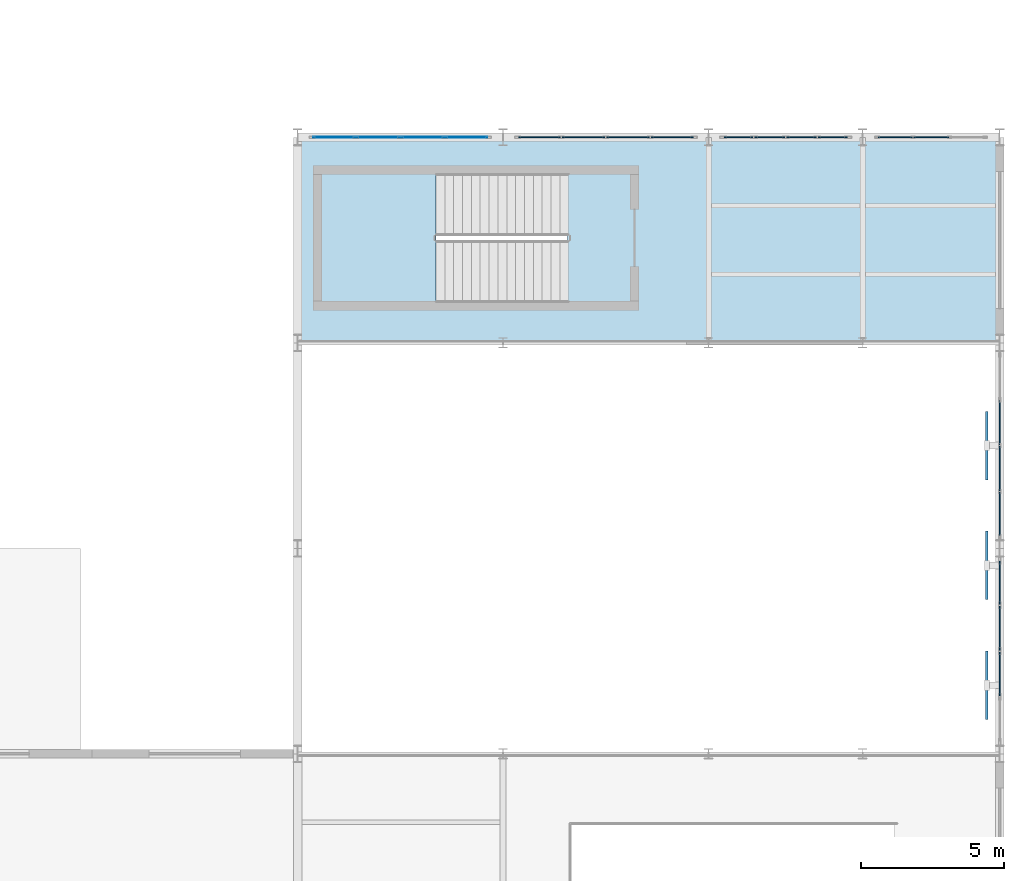
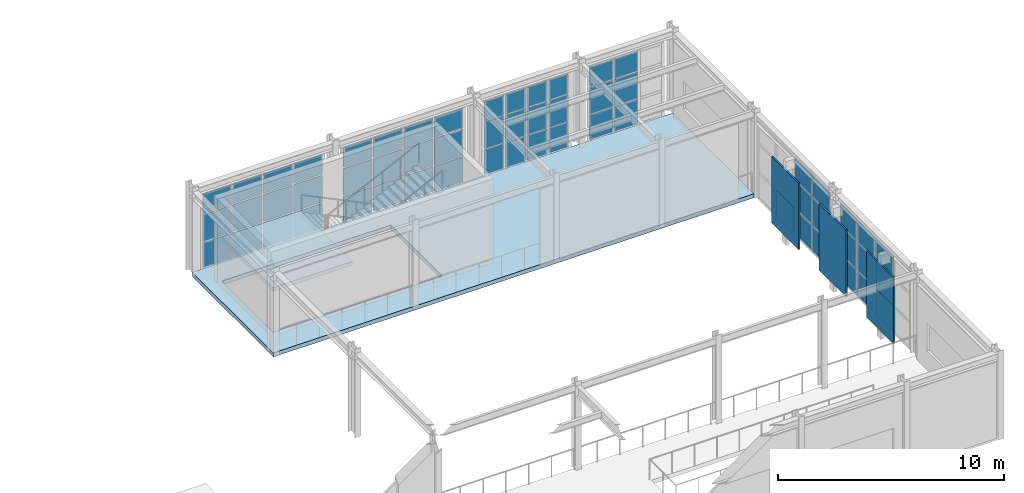
# One storey, part 89 of 121: 61 plates, 2 slabs, 7 elements without a shape of their own.
"""IFC4 building model written with IfcOpenShell, lengths in metres."""

from ifc_helpers import new_model, si_unit, direction, frame, origin, origin_2d, place, context, subcontext, project, spatial, polyline, rectangle, outline, extrude, material, layer, layer_set, type_object, element, aggregate, save


model = new_model("IFC4")

# Units and contexts
model_context = context("Model", 3, precision=1e-05, world=origin(), true_north=direction((0.0, 1.0)))
body_context = subcontext(model_context, "Body", "Model", "MODEL_VIEW")
ifc_project = project(units=[si_unit("LENGTHUNIT", "METRE"), si_unit("AREAUNIT", "SQUARE_METRE"), si_unit("VOLUMEUNIT", "CUBIC_METRE"), si_unit("PLANEANGLEUNIT", "RADIAN"), si_unit("MASSUNIT", "GRAM", prefix="KILO")], contexts=[model_context])

# Site, building, storey
site_placement = place(None, origin())
site = spatial("IfcSite", under=ifc_project, at=site_placement, CompositionType="ELEMENT")
building_placement = place(site_placement, origin())
building = spatial("IfcBuilding", under=site, at=building_placement, Name="Solvadek Multi-Sports Hall", CompositionType="ELEMENT")
storey_placement = place(building_placement, frame((0.0, 0.0, 4.800048828125)))
storey = spatial("IfcBuildingStorey", under=building, at=storey_placement, Name="L01", CompositionType="ELEMENT", Elevation=4.800048828125)

# Curtain wall, plates
ifc_material_1 = material(Name="Anodised aluminium", Category="aluminium")
ifc_layer_1 = layer(ifc_material_1, 0.159912109375, Name="Anodised aluminium")
ifc_layer_set_1 = layer_set([ifc_layer_1], Name="Anodised aluminium")
curtain_wall_type_1 = type_object("IfcCurtainWallType", Name="ENV-CW-624X410", PredefinedType="USERDEFINED", material=ifc_layer_set_1)
curtain_wall_1_placement = place(storey_placement, origin())
curtain_wall_1 = element("IfcCurtainWall", 1, at=curtain_wall_1_placement, inside=storey, type_object=curtain_wall_type_1, Name="L01 Perimeter Bay Curtain Wall #130", ObjectType="CURTAIN WALL", PredefinedType="USERDEFINED")
ifc_material_2 = material(Name="Tempered laminated low-E glass", Category="glass")
ifc_layer_2 = layer(ifc_material_2, 0.031982421875, Name="Tempered laminated low-E glass")
ifc_layer_set_2 = layer_set([ifc_layer_2], Name="Tempered laminated low-E glass")
plate_type_1 = type_object("IfcPlateType", Name="ENV-CWP-03", PredefinedType="CURTAIN_PANEL", material=ifc_layer_set_2)
plate_1_placement = place(storey_placement, frame((138.076171875, 70.800048828125, 0.06494140625), z_axis=(0.0, 0.0, 1.0), x_axis=(1.0, 0.0, 0.0)))
plate_1 = element("IfcPlate", 2, at=plate_1_placement, type_object=plate_type_1, Name="CW-39 panel 1.1", PredefinedType="CURTAIN_PANEL", context=body_context, shape_type="SweptSolid", body=[
    extrude(rectangle(XDim=1.46240234375, YDim=0.031982421875, at=origin_2d()), origin(), (0.0, 0.0, 1.0), 1.33740234375),
])
plate_2_placement = place(storey_placement, frame((138.076171875, 70.800048828125, 1.46728515625), z_axis=(0.0, 0.0, 1.0), x_axis=(1.0, 0.0, 0.0)))
plate_2 = element("IfcPlate", 3, at=plate_2_placement, type_object=plate_type_1, Name="CW-39 panel 1.2", PredefinedType="CURTAIN_PANEL", context=body_context, shape_type="SweptSolid", body=[
    extrude(rectangle(XDim=1.46240234375, YDim=0.031982421875, at=origin_2d()), origin(), (0.0, 0.0, 1.0), 1.451904296875),
])
plate_3_placement = place(storey_placement, frame((138.076171875, 70.800048828125, 2.984375), z_axis=(0.0, 0.0, 1.0), x_axis=(1.0, 0.0, 0.0)))
plate_3 = element("IfcPlate", 4, at=plate_3_placement, type_object=plate_type_1, Name="CW-39 panel 1.3", PredefinedType="CURTAIN_PANEL", context=body_context, shape_type="SweptSolid", body=[
    extrude(rectangle(XDim=1.46240234375, YDim=0.031982421875, at=origin_2d()), origin(), (0.0, 0.0, 1.0), 1.050537109375),
])
plate_4_placement = place(storey_placement, frame((139.6201171875, 70.800048828125, 0.06494140625), z_axis=(0.0, 0.0, 1.0), x_axis=(1.0, 0.0, 0.0)))
plate_4 = element("IfcPlate", 5, at=plate_4_placement, type_object=plate_type_1, Name="CW-39 panel 2.1", PredefinedType="CURTAIN_PANEL", context=body_context, shape_type="SweptSolid", body=[
    extrude(rectangle(XDim=1.4951171875, YDim=0.031982421875, at=origin_2d()), origin(), (0.0, 0.0, 1.0), 1.33740234375),
])
plate_5_placement = place(storey_placement, frame((139.6201171875, 70.800048828125, 1.46728515625), z_axis=(0.0, 0.0, 1.0), x_axis=(1.0, 0.0, 0.0)))
plate_5 = element("IfcPlate", 6, at=plate_5_placement, type_object=plate_type_1, Name="CW-39 panel 2.2", PredefinedType="CURTAIN_PANEL", context=body_context, shape_type="SweptSolid", body=[
    extrude(rectangle(XDim=1.4951171875, YDim=0.031982421875, at=origin_2d()), origin(), (0.0, 0.0, 1.0), 1.451904296875),
])
plate_6_placement = place(storey_placement, frame((139.6201171875, 70.800048828125, 2.984375), z_axis=(0.0, 0.0, 1.0), x_axis=(1.0, 0.0, 0.0)))
plate_6 = element("IfcPlate", 7, at=plate_6_placement, type_object=plate_type_1, Name="CW-39 panel 2.3", PredefinedType="CURTAIN_PANEL", context=body_context, shape_type="SweptSolid", body=[
    extrude(rectangle(XDim=1.4951171875, YDim=0.031982421875, at=origin_2d()), origin(), (0.0, 0.0, 1.0), 1.050537109375),
])
plate_7_placement = place(storey_placement, frame((141.179931640625, 70.800048828125, 0.06494140625), z_axis=(0.0, 0.0, 1.0), x_axis=(1.0, 0.0, 0.0)))
plate_7 = element("IfcPlate", 8, at=plate_7_placement, type_object=plate_type_1, Name="CW-39 panel 3.1", PredefinedType="CURTAIN_PANEL", context=body_context, shape_type="SweptSolid", body=[
    extrude(rectangle(XDim=1.4951171875, YDim=0.031982421875, at=origin_2d()), origin(), (0.0, 0.0, 1.0), 1.33740234375),
])
plate_8_placement = place(storey_placement, frame((141.179931640625, 70.800048828125, 1.46728515625), z_axis=(0.0, 0.0, 1.0), x_axis=(1.0, 0.0, 0.0)))
plate_8 = element("IfcPlate", 9, at=plate_8_placement, type_object=plate_type_1, Name="CW-39 panel 3.2", PredefinedType="CURTAIN_PANEL", context=body_context, shape_type="SweptSolid", body=[
    extrude(rectangle(XDim=1.4951171875, YDim=0.031982421875, at=origin_2d()), origin(), (0.0, 0.0, 1.0), 1.451904296875),
])
plate_9_placement = place(storey_placement, frame((141.179931640625, 70.800048828125, 2.984375), z_axis=(0.0, 0.0, 1.0), x_axis=(1.0, 0.0, 0.0)))
plate_9 = element("IfcPlate", 10, at=plate_9_placement, type_object=plate_type_1, Name="CW-39 panel 3.3", PredefinedType="CURTAIN_PANEL", context=body_context, shape_type="SweptSolid", body=[
    extrude(rectangle(XDim=1.4951171875, YDim=0.031982421875, at=origin_2d()), origin(), (0.0, 0.0, 1.0), 1.050537109375),
])
plate_10_placement = place(storey_placement, frame((142.7236328125, 70.800048828125, 0.06494140625), z_axis=(0.0, 0.0, 1.0), x_axis=(1.0, 0.0, 0.0)))
plate_10 = element("IfcPlate", 11, at=plate_10_placement, type_object=plate_type_1, Name="CW-39 panel 4.1", PredefinedType="CURTAIN_PANEL", context=body_context, shape_type="SweptSolid", body=[
    extrude(rectangle(XDim=1.46240234375, YDim=0.031982421875, at=origin_2d()), origin(), (0.0, 0.0, 1.0), 1.33740234375),
])
plate_11_placement = place(storey_placement, frame((142.7236328125, 70.800048828125, 1.46728515625), z_axis=(0.0, 0.0, 1.0), x_axis=(1.0, 0.0, 0.0)))
plate_11 = element("IfcPlate", 12, at=plate_11_placement, type_object=plate_type_1, Name="CW-39 panel 4.2", PredefinedType="CURTAIN_PANEL", context=body_context, shape_type="SweptSolid", body=[
    extrude(rectangle(XDim=1.46240234375, YDim=0.031982421875, at=origin_2d()), origin(), (0.0, 0.0, 1.0), 1.451904296875),
])
plate_12_placement = place(storey_placement, frame((142.7236328125, 70.800048828125, 2.984375), z_axis=(0.0, 0.0, 1.0), x_axis=(1.0, 0.0, 0.0)))
plate_12 = element("IfcPlate", 13, at=plate_12_placement, type_object=plate_type_1, Name="CW-39 panel 4.3", PredefinedType="CURTAIN_PANEL", context=body_context, shape_type="SweptSolid", body=[
    extrude(rectangle(XDim=1.46240234375, YDim=0.031982421875, at=origin_2d()), origin(), (0.0, 0.0, 1.0), 1.050537109375),
])
aggregate(curtain_wall_1, [plate_1, plate_2, plate_3, plate_4, plate_5, plate_6, plate_7, plate_8, plate_9, plate_10, plate_11, plate_12])

ifc_layer_3 = layer(ifc_material_1, 0.159912109375, Name="Anodised aluminium")
ifc_layer_set_3 = layer_set([ifc_layer_3], Name="Anodised aluminium")
curtain_wall_type_2 = type_object("IfcCurtainWallType", Name="ENV-CW-624X408", PredefinedType="USERDEFINED", material=ifc_layer_set_3)
curtain_wall_2_placement = place(storey_placement, origin())
curtain_wall_2 = element("IfcCurtainWall", 14, at=curtain_wall_2_placement, inside=storey, type_object=curtain_wall_type_2, Name="L01 Perimeter Bay Curtain Wall #133", ObjectType="CURTAIN WALL", PredefinedType="USERDEFINED")
ifc_layer_4 = layer(ifc_material_2, 0.035888671875, Name="Tempered laminated low-E glass")
ifc_layer_set_4 = layer_set([ifc_layer_4], Name="Tempered laminated low-E glass")
plate_type_2 = type_object("IfcPlateType", Name="ENV-CWP-04", PredefinedType="CURTAIN_PANEL", material=ifc_layer_set_4)
plate_13_placement = place(storey_placement, frame((145.2763671875, 70.800048828125, 0.06494140625), z_axis=(0.0, 0.0, 1.0), x_axis=(1.0, 0.0, 0.0)))
plate_13 = element("IfcPlate", 15, at=plate_13_placement, type_object=plate_type_2, Name="CW-40 panel 1.1", PredefinedType="CURTAIN_PANEL", context=body_context, shape_type="SweptSolid", body=[
    extrude(rectangle(XDim=1.46240234375, YDim=0.035888671875, at=origin_2d()), origin(), (0.0, 0.0, 1.0), 1.32861328125),
])
plate_14_placement = place(storey_placement, frame((145.2763671875, 70.800048828125, 1.45849609375), z_axis=(0.0, 0.0, 1.0), x_axis=(1.0, 0.0, 0.0)))
plate_14 = element("IfcPlate", 16, at=plate_14_placement, type_object=plate_type_2, Name="CW-40 panel 1.2", PredefinedType="CURTAIN_PANEL", context=body_context, shape_type="SweptSolid", body=[
    extrude(rectangle(XDim=1.46240234375, YDim=0.035888671875, at=origin_2d()), origin(), (0.0, 0.0, 1.0), 1.443115234375),
])
plate_15_placement = place(storey_placement, frame((145.2763671875, 70.800048828125, 2.966552734375), z_axis=(0.0, 0.0, 1.0), x_axis=(1.0, 0.0, 0.0)))
plate_15 = element("IfcPlate", 17, at=plate_15_placement, type_object=plate_type_2, Name="CW-40 panel 1.3", PredefinedType="CURTAIN_PANEL", context=body_context, shape_type="SweptSolid", body=[
    extrude(rectangle(XDim=1.46240234375, YDim=0.035888671875, at=origin_2d()), origin(), (0.0, 0.0, 1.0), 1.04345703125),
])
plate_16_placement = place(storey_placement, frame((146.820068359375, 70.800048828125, 0.06494140625), z_axis=(0.0, 0.0, 1.0), x_axis=(1.0, 0.0, 0.0)))
plate_16 = element("IfcPlate", 18, at=plate_16_placement, type_object=plate_type_2, Name="CW-40 panel 2.1", PredefinedType="CURTAIN_PANEL", context=body_context, shape_type="SweptSolid", body=[
    extrude(rectangle(XDim=1.4951171875, YDim=0.035888671875, at=origin_2d()), origin(), (0.0, 0.0, 1.0), 1.32861328125),
])
plate_17_placement = place(storey_placement, frame((146.820068359375, 70.800048828125, 1.45849609375), z_axis=(0.0, 0.0, 1.0), x_axis=(1.0, 0.0, 0.0)))
plate_17 = element("IfcPlate", 19, at=plate_17_placement, type_object=plate_type_2, Name="CW-40 panel 2.2", PredefinedType="CURTAIN_PANEL", context=body_context, shape_type="SweptSolid", body=[
    extrude(rectangle(XDim=1.4951171875, YDim=0.035888671875, at=origin_2d()), origin(), (0.0, 0.0, 1.0), 1.443115234375),
])
plate_18_placement = place(storey_placement, frame((146.820068359375, 70.800048828125, 2.966552734375), z_axis=(0.0, 0.0, 1.0), x_axis=(1.0, 0.0, 0.0)))
plate_18 = element("IfcPlate", 20, at=plate_18_placement, type_object=plate_type_2, Name="CW-40 panel 2.3", PredefinedType="CURTAIN_PANEL", context=body_context, shape_type="SweptSolid", body=[
    extrude(rectangle(XDim=1.4951171875, YDim=0.035888671875, at=origin_2d()), origin(), (0.0, 0.0, 1.0), 1.04345703125),
])
plate_19_placement = place(storey_placement, frame((148.3798828125, 70.800048828125, 0.06494140625), z_axis=(0.0, 0.0, 1.0), x_axis=(1.0, 0.0, 0.0)))
plate_19 = element("IfcPlate", 21, at=plate_19_placement, type_object=plate_type_2, Name="CW-40 panel 3.1", PredefinedType="CURTAIN_PANEL", context=body_context, shape_type="SweptSolid", body=[
    extrude(rectangle(XDim=1.4951171875, YDim=0.035888671875, at=origin_2d()), origin(), (0.0, 0.0, 1.0), 1.32861328125),
])
plate_20_placement = place(storey_placement, frame((148.3798828125, 70.800048828125, 1.45849609375), z_axis=(0.0, 0.0, 1.0), x_axis=(1.0, 0.0, 0.0)))
plate_20 = element("IfcPlate", 22, at=plate_20_placement, type_object=plate_type_2, Name="CW-40 panel 3.2", PredefinedType="CURTAIN_PANEL", context=body_context, shape_type="SweptSolid", body=[
    extrude(rectangle(XDim=1.4951171875, YDim=0.035888671875, at=origin_2d()), origin(), (0.0, 0.0, 1.0), 1.443115234375),
])
plate_21_placement = place(storey_placement, frame((148.3798828125, 70.800048828125, 2.966552734375), z_axis=(0.0, 0.0, 1.0), x_axis=(1.0, 0.0, 0.0)))
plate_21 = element("IfcPlate", 23, at=plate_21_placement, type_object=plate_type_2, Name="CW-40 panel 3.3", PredefinedType="CURTAIN_PANEL", context=body_context, shape_type="SweptSolid", body=[
    extrude(rectangle(XDim=1.4951171875, YDim=0.035888671875, at=origin_2d()), origin(), (0.0, 0.0, 1.0), 1.04345703125),
])
plate_22_placement = place(storey_placement, frame((149.923828125, 70.800048828125, 0.06494140625), z_axis=(0.0, 0.0, 1.0), x_axis=(1.0, 0.0, 0.0)))
plate_22 = element("IfcPlate", 24, at=plate_22_placement, type_object=plate_type_2, Name="CW-40 panel 4.1", PredefinedType="CURTAIN_PANEL", context=body_context, shape_type="SweptSolid", body=[
    extrude(rectangle(XDim=1.46240234375, YDim=0.035888671875, at=origin_2d()), origin(), (0.0, 0.0, 1.0), 1.32861328125),
])
plate_23_placement = place(storey_placement, frame((149.923828125, 70.800048828125, 1.45849609375), z_axis=(0.0, 0.0, 1.0), x_axis=(1.0, 0.0, 0.0)))
plate_23 = element("IfcPlate", 25, at=plate_23_placement, type_object=plate_type_2, Name="CW-40 panel 4.2", PredefinedType="CURTAIN_PANEL", context=body_context, shape_type="SweptSolid", body=[
    extrude(rectangle(XDim=1.46240234375, YDim=0.035888671875, at=origin_2d()), origin(), (0.0, 0.0, 1.0), 1.443115234375),
])
plate_24_placement = place(storey_placement, frame((149.923828125, 70.800048828125, 2.966552734375), z_axis=(0.0, 0.0, 1.0), x_axis=(1.0, 0.0, 0.0)))
plate_24 = element("IfcPlate", 26, at=plate_24_placement, type_object=plate_type_2, Name="CW-40 panel 4.3", PredefinedType="CURTAIN_PANEL", context=body_context, shape_type="SweptSolid", body=[
    extrude(rectangle(XDim=1.46240234375, YDim=0.035888671875, at=origin_2d()), origin(), (0.0, 0.0, 1.0), 1.04345703125),
])
aggregate(curtain_wall_2, [plate_13, plate_14, plate_15, plate_16, plate_17, plate_18, plate_19, plate_20, plate_21, plate_22, plate_23, plate_24])

ifc_layer_5 = layer(ifc_material_1, 0.159912109375, Name="Anodised aluminium")
ifc_layer_set_5 = layer_set([ifc_layer_5], Name="Anodised aluminium")
curtain_wall_type_3 = type_object("IfcCurtainWallType", Name="ENV-CW-444X405", PredefinedType="USERDEFINED", material=ifc_layer_set_5)
curtain_wall_3_placement = place(storey_placement, origin())
curtain_wall_3 = element("IfcCurtainWall", 27, at=curtain_wall_3_placement, inside=storey, type_object=curtain_wall_type_3, Name="L01 Perimeter Bay Curtain Wall #137", ObjectType="CURTAIN WALL", PredefinedType="USERDEFINED")
ifc_layer_6 = layer(ifc_material_2, 0.0419921875, Name="Tempered laminated low-E glass")
ifc_layer_set_6 = layer_set([ifc_layer_6], Name="Tempered laminated low-E glass")
plate_type_3 = type_object("IfcPlateType", Name="ENV-CWP-05", PredefinedType="CURTAIN_PANEL", material=ifc_layer_set_6)
plate_25_placement = place(storey_placement, frame((152.25244140625, 70.800048828125, 0.06005859375), z_axis=(0.0, 0.0, 1.0), x_axis=(1.0, 0.0, 0.0)))
plate_25 = element("IfcPlate", 28, at=plate_25_placement, type_object=plate_type_3, Name="CW-46 panel 1.1", PredefinedType="CURTAIN_PANEL", context=body_context, shape_type="SweptSolid", body=[
    extrude(rectangle(XDim=1.0048828125, YDim=0.0419921875, at=origin_2d()), origin(), (0.0, 0.0, 1.0), 1.326904296875),
])
plate_26_placement = place(storey_placement, frame((152.25244140625, 70.800048828125, 1.447021484375), z_axis=(0.0, 0.0, 1.0), x_axis=(1.0, 0.0, 0.0)))
plate_26 = element("IfcPlate", 29, at=plate_26_placement, type_object=plate_type_3, Name="CW-46 panel 1.2", PredefinedType="CURTAIN_PANEL", context=body_context, shape_type="SweptSolid", body=[
    extrude(rectangle(XDim=1.0048828125, YDim=0.0419921875, at=origin_2d()), origin(), (0.0, 0.0, 1.0), 1.43896484375),
])
plate_27_placement = place(storey_placement, frame((152.25244140625, 70.800048828125, 2.946044921875), z_axis=(0.0, 0.0, 1.0), x_axis=(1.0, 0.0, 0.0)))
plate_27 = element("IfcPlate", 30, at=plate_27_placement, type_object=plate_type_3, Name="CW-46 panel 1.3", PredefinedType="CURTAIN_PANEL", context=body_context, shape_type="SweptSolid", body=[
    extrude(rectangle(XDim=1.0048828125, YDim=0.0419921875, at=origin_2d()), origin(), (0.0, 0.0, 1.0), 1.0439453125),
])
plate_28_placement = place(storey_placement, frame((153.344970703125, 70.800048828125, 0.06005859375), z_axis=(0.0, 0.0, 1.0), x_axis=(1.0, 0.0, 0.0)))
plate_28 = element("IfcPlate", 31, at=plate_28_placement, type_object=plate_type_3, Name="CW-46 panel 2.1", PredefinedType="CURTAIN_PANEL", context=body_context, shape_type="SweptSolid", body=[
    extrude(rectangle(XDim=1.0400390625, YDim=0.0419921875, at=origin_2d()), origin(), (0.0, 0.0, 1.0), 1.326904296875),
])
plate_29_placement = place(storey_placement, frame((153.344970703125, 70.800048828125, 1.447021484375), z_axis=(0.0, 0.0, 1.0), x_axis=(1.0, 0.0, 0.0)))
plate_29 = element("IfcPlate", 32, at=plate_29_placement, type_object=plate_type_3, Name="CW-46 panel 2.2", PredefinedType="CURTAIN_PANEL", context=body_context, shape_type="SweptSolid", body=[
    extrude(rectangle(XDim=1.0400390625, YDim=0.0419921875, at=origin_2d()), origin(), (0.0, 0.0, 1.0), 1.43896484375),
])
plate_30_placement = place(storey_placement, frame((153.344970703125, 70.800048828125, 2.946044921875), z_axis=(0.0, 0.0, 1.0), x_axis=(1.0, 0.0, 0.0)))
plate_30 = element("IfcPlate", 33, at=plate_30_placement, type_object=plate_type_3, Name="CW-46 panel 2.3", PredefinedType="CURTAIN_PANEL", context=body_context, shape_type="SweptSolid", body=[
    extrude(rectangle(XDim=1.0400390625, YDim=0.0419921875, at=origin_2d()), origin(), (0.0, 0.0, 1.0), 1.0439453125),
])
plate_31_placement = place(storey_placement, frame((154.455078125, 70.800048828125, 0.06005859375), z_axis=(0.0, 0.0, 1.0), x_axis=(1.0, 0.0, 0.0)))
plate_31 = element("IfcPlate", 34, at=plate_31_placement, type_object=plate_type_3, Name="CW-46 panel 3.1", PredefinedType="CURTAIN_PANEL", context=body_context, shape_type="SweptSolid", body=[
    extrude(rectangle(XDim=1.0400390625, YDim=0.0419921875, at=origin_2d()), origin(), (0.0, 0.0, 1.0), 1.326904296875),
])
plate_32_placement = place(storey_placement, frame((154.455078125, 70.800048828125, 1.447021484375), z_axis=(0.0, 0.0, 1.0), x_axis=(1.0, 0.0, 0.0)))
plate_32 = element("IfcPlate", 35, at=plate_32_placement, type_object=plate_type_3, Name="CW-46 panel 3.2", PredefinedType="CURTAIN_PANEL", context=body_context, shape_type="SweptSolid", body=[
    extrude(rectangle(XDim=1.0400390625, YDim=0.0419921875, at=origin_2d()), origin(), (0.0, 0.0, 1.0), 1.43896484375),
])
plate_33_placement = place(storey_placement, frame((154.455078125, 70.800048828125, 2.946044921875), z_axis=(0.0, 0.0, 1.0), x_axis=(1.0, 0.0, 0.0)))
plate_33 = element("IfcPlate", 36, at=plate_33_placement, type_object=plate_type_3, Name="CW-46 panel 3.3", PredefinedType="CURTAIN_PANEL", context=body_context, shape_type="SweptSolid", body=[
    extrude(rectangle(XDim=1.0400390625, YDim=0.0419921875, at=origin_2d()), origin(), (0.0, 0.0, 1.0), 1.0439453125),
])
plate_34_placement = place(storey_placement, frame((155.547607421875, 70.800048828125, 0.06005859375), z_axis=(0.0, 0.0, 1.0), x_axis=(1.0, 0.0, 0.0)))
plate_34 = element("IfcPlate", 37, at=plate_34_placement, type_object=plate_type_3, Name="CW-46 panel 4.1", PredefinedType="CURTAIN_PANEL", context=body_context, shape_type="SweptSolid", body=[
    extrude(rectangle(XDim=1.0048828125, YDim=0.0419921875, at=origin_2d()), origin(), (0.0, 0.0, 1.0), 1.326904296875),
])
plate_35_placement = place(storey_placement, frame((155.547607421875, 70.800048828125, 1.447021484375), z_axis=(0.0, 0.0, 1.0), x_axis=(1.0, 0.0, 0.0)))
plate_35 = element("IfcPlate", 38, at=plate_35_placement, type_object=plate_type_3, Name="CW-46 panel 4.2", PredefinedType="CURTAIN_PANEL", context=body_context, shape_type="SweptSolid", body=[
    extrude(rectangle(XDim=1.0048828125, YDim=0.0419921875, at=origin_2d()), origin(), (0.0, 0.0, 1.0), 1.43896484375),
])
plate_36_placement = place(storey_placement, frame((155.547607421875, 70.800048828125, 2.946044921875), z_axis=(0.0, 0.0, 1.0), x_axis=(1.0, 0.0, 0.0)))
plate_36 = element("IfcPlate", 39, at=plate_36_placement, type_object=plate_type_3, Name="CW-46 panel 4.3", PredefinedType="CURTAIN_PANEL", context=body_context, shape_type="SweptSolid", body=[
    extrude(rectangle(XDim=1.0048828125, YDim=0.0419921875, at=origin_2d()), origin(), (0.0, 0.0, 1.0), 1.0439453125),
])
aggregate(curtain_wall_3, [plate_25, plate_26, plate_27, plate_28, plate_29, plate_30, plate_31, plate_32, plate_33, plate_34, plate_35, plate_36])

ifc_layer_7 = layer(ifc_material_1, 0.159912109375, Name="Anodised aluminium")
ifc_layer_set_7 = layer_set([ifc_layer_7], Name="Anodised aluminium")
curtain_wall_type_4 = type_object("IfcCurtainWallType", Name="ENV-CW-642X416", PredefinedType="USERDEFINED", material=ifc_layer_set_7)
curtain_wall_4_placement = place(storey_placement, origin())
curtain_wall_4 = element("IfcCurtainWall", 40, at=curtain_wall_4_placement, inside=storey, type_object=curtain_wall_type_4, Name="L01 Perimeter Bay Curtain Wall #145", ObjectType="CURTAIN WALL", PredefinedType="USERDEFINED")
plate_37_placement = place(storey_placement, frame((161.39990234375, 51.99755859375, 0.06005859375), z_axis=(0.0, 0.0, 1.0), x_axis=(0.0, 1.0, 0.0)))
plate_37 = element("IfcPlate", 41, at=plate_37_placement, type_object=plate_type_3, Name="CW-53 panel 2.1", PredefinedType="CURTAIN_PANEL", context=body_context, shape_type="SweptSolid", body=[
    extrude(rectangle(XDim=1.534912109375, YDim=0.0419921875, at=origin_2d()), origin(), (0.0, 0.0, 1.0), 1.366943359375),
])
plate_38_placement = place(storey_placement, frame((161.39990234375, 51.99755859375, 1.487060546875), z_axis=(0.0, 0.0, 1.0), x_axis=(0.0, 1.0, 0.0)))
plate_38 = element("IfcPlate", 42, at=plate_38_placement, type_object=plate_type_3, Name="CW-53 panel 2.2", PredefinedType="CURTAIN_PANEL", context=body_context, shape_type="SweptSolid", body=[
    extrude(rectangle(XDim=1.534912109375, YDim=0.0419921875, at=origin_2d()), origin(), (0.0, 0.0, 1.0), 1.47998046875),
])
plate_39_placement = place(storey_placement, frame((161.39990234375, 51.99755859375, 3.02685546875), z_axis=(0.0, 0.0, 1.0), x_axis=(0.0, 1.0, 0.0)))
plate_39 = element("IfcPlate", 43, at=plate_39_placement, type_object=plate_type_3, Name="CW-53 panel 2.3", PredefinedType="CURTAIN_PANEL", context=body_context, shape_type="SweptSolid", body=[
    extrude(rectangle(XDim=1.534912109375, YDim=0.0419921875, at=origin_2d()), origin(), (0.0, 0.0, 1.0), 1.074951171875),
])
plate_40_placement = place(storey_placement, frame((161.39990234375, 53.6025390625, 0.06005859375), z_axis=(0.0, 0.0, 1.0), x_axis=(0.0, 1.0, 0.0)))
plate_40 = element("IfcPlate", 44, at=plate_40_placement, type_object=plate_type_3, Name="CW-53 panel 3.1", PredefinedType="CURTAIN_PANEL", context=body_context, shape_type="SweptSolid", body=[
    extrude(rectangle(XDim=1.534912109375, YDim=0.0419921875, at=origin_2d()), origin(), (0.0, 0.0, 1.0), 1.366943359375),
])
plate_41_placement = place(storey_placement, frame((161.39990234375, 53.6025390625, 1.487060546875), z_axis=(0.0, 0.0, 1.0), x_axis=(0.0, 1.0, 0.0)))
plate_41 = element("IfcPlate", 45, at=plate_41_placement, type_object=plate_type_3, Name="CW-53 panel 3.2", PredefinedType="CURTAIN_PANEL", context=body_context, shape_type="SweptSolid", body=[
    extrude(rectangle(XDim=1.534912109375, YDim=0.0419921875, at=origin_2d()), origin(), (0.0, 0.0, 1.0), 1.47998046875),
])
plate_42_placement = place(storey_placement, frame((161.39990234375, 53.6025390625, 3.02685546875), z_axis=(0.0, 0.0, 1.0), x_axis=(0.0, 1.0, 0.0)))
plate_42 = element("IfcPlate", 46, at=plate_42_placement, type_object=plate_type_3, Name="CW-53 panel 3.3", PredefinedType="CURTAIN_PANEL", context=body_context, shape_type="SweptSolid", body=[
    extrude(rectangle(XDim=1.534912109375, YDim=0.0419921875, at=origin_2d()), origin(), (0.0, 0.0, 1.0), 1.074951171875),
])
plate_43_placement = place(storey_placement, frame((161.39990234375, 55.18994140625, 0.06005859375), z_axis=(0.0, 0.0, 1.0), x_axis=(0.0, 1.0, 0.0)))
plate_43 = element("IfcPlate", 47, at=plate_43_placement, type_object=plate_type_3, Name="CW-53 panel 4.1", PredefinedType="CURTAIN_PANEL", context=body_context, shape_type="SweptSolid", body=[
    extrude(rectangle(XDim=1.5, YDim=0.0419921875, at=origin_2d()), origin(), (0.0, 0.0, 1.0), 1.366943359375),
])
plate_44_placement = place(storey_placement, frame((161.39990234375, 55.18994140625, 1.487060546875), z_axis=(0.0, 0.0, 1.0), x_axis=(0.0, 1.0, 0.0)))
plate_44 = element("IfcPlate", 48, at=plate_44_placement, type_object=plate_type_3, Name="CW-53 panel 4.2", PredefinedType="CURTAIN_PANEL", context=body_context, shape_type="SweptSolid", body=[
    extrude(rectangle(XDim=1.5, YDim=0.0419921875, at=origin_2d()), origin(), (0.0, 0.0, 1.0), 1.47998046875),
])
plate_45_placement = place(storey_placement, frame((161.39990234375, 55.18994140625, 3.02685546875), z_axis=(0.0, 0.0, 1.0), x_axis=(0.0, 1.0, 0.0)))
plate_45 = element("IfcPlate", 49, at=plate_45_placement, type_object=plate_type_3, Name="CW-53 panel 4.3", PredefinedType="CURTAIN_PANEL", context=body_context, shape_type="SweptSolid", body=[
    extrude(rectangle(XDim=1.5, YDim=0.0419921875, at=origin_2d()), origin(), (0.0, 0.0, 1.0), 1.074951171875),
])
aggregate(curtain_wall_4, [plate_37, plate_38, plate_39, plate_40, plate_41, plate_42, plate_43, plate_44, plate_45])

ifc_layer_8 = layer(ifc_material_1, 0.159912109375, Name="Anodised aluminium")
ifc_layer_set_8 = layer_set([ifc_layer_8], Name="Anodised aluminium")
curtain_wall_type_5 = type_object("IfcCurtainWallType", Name="ENV-CW-384X402", PredefinedType="USERDEFINED", material=ifc_layer_set_8)
curtain_wall_5_placement = place(storey_placement, origin())
curtain_wall_5 = element("IfcCurtainWall", 50, at=curtain_wall_5_placement, inside=storey, type_object=curtain_wall_type_5, Name="L01 Perimeter Bay Curtain Wall #141", ObjectType="CURTAIN WALL", PredefinedType="USERDEFINED")
ifc_layer_9 = layer(ifc_material_2, 0.048095703125, Name="Tempered laminated low-E glass")
ifc_layer_set_9 = layer_set([ifc_layer_9], Name="Tempered laminated low-E glass")
plate_type_4 = type_object("IfcPlateType", Name="ENV-CWP-06", PredefinedType="CURTAIN_PANEL", material=ifc_layer_set_9)
plate_46_placement = place(storey_placement, frame((157.735107421875, 70.800048828125, 0.06005859375), z_axis=(0.0, 0.0, 1.0), x_axis=(1.0, 0.0, 0.0)))
plate_46 = element("IfcPlate", 51, at=plate_46_placement, type_object=plate_type_4, Name="CW-49 panel 1.1", PredefinedType="CURTAIN_PANEL", context=body_context, shape_type="SweptSolid", body=[
    extrude(rectangle(XDim=1.18994140625, YDim=0.048095703125, at=origin_2d()), origin(), (0.0, 0.0, 1.0), 1.319091796875),
])
plate_47_placement = place(storey_placement, frame((157.735107421875, 70.800048828125, 1.43896484375), z_axis=(0.0, 0.0, 1.0), x_axis=(1.0, 0.0, 0.0)))
plate_47 = element("IfcPlate", 52, at=plate_47_placement, type_object=plate_type_4, Name="CW-49 panel 1.2", PredefinedType="CURTAIN_PANEL", context=body_context, shape_type="SweptSolid", body=[
    extrude(rectangle(XDim=1.18994140625, YDim=0.048095703125, at=origin_2d()), origin(), (0.0, 0.0, 1.0), 1.428955078125),
])
plate_48_placement = place(storey_placement, frame((157.735107421875, 70.800048828125, 2.927978515625), z_axis=(0.0, 0.0, 1.0), x_axis=(1.0, 0.0, 0.0)))
plate_48 = element("IfcPlate", 53, at=plate_48_placement, type_object=plate_type_4, Name="CW-49 panel 1.3", PredefinedType="CURTAIN_PANEL", context=body_context, shape_type="SweptSolid", body=[
    extrude(rectangle(XDim=1.18994140625, YDim=0.048095703125, at=origin_2d()), origin(), (0.0, 0.0, 1.0), 1.037109375),
])
plate_49_placement = place(storey_placement, frame((159.0, 70.800048828125, 0.06005859375), z_axis=(0.0, 0.0, 1.0), x_axis=(1.0, 0.0, 0.0)))
plate_49 = element("IfcPlate", 54, at=plate_49_placement, type_object=plate_type_4, Name="CW-49 panel 2.1", PredefinedType="CURTAIN_PANEL", context=body_context, shape_type="SweptSolid", body=[
    extrude(rectangle(XDim=1.219970703125, YDim=0.048095703125, at=origin_2d()), origin(), (0.0, 0.0, 1.0), 1.319091796875),
])
plate_50_placement = place(storey_placement, frame((159.0, 70.800048828125, 1.43896484375), z_axis=(0.0, 0.0, 1.0), x_axis=(1.0, 0.0, 0.0)))
plate_50 = element("IfcPlate", 55, at=plate_50_placement, type_object=plate_type_4, Name="CW-49 panel 2.2", PredefinedType="CURTAIN_PANEL", context=body_context, shape_type="SweptSolid", body=[
    extrude(rectangle(XDim=1.219970703125, YDim=0.048095703125, at=origin_2d()), origin(), (0.0, 0.0, 1.0), 1.428955078125),
])
plate_51_placement = place(storey_placement, frame((159.0, 70.800048828125, 2.927978515625), z_axis=(0.0, 0.0, 1.0), x_axis=(1.0, 0.0, 0.0)))
plate_51 = element("IfcPlate", 56, at=plate_51_placement, type_object=plate_type_4, Name="CW-49 panel 2.3", PredefinedType="CURTAIN_PANEL", context=body_context, shape_type="SweptSolid", body=[
    extrude(rectangle(XDim=1.219970703125, YDim=0.048095703125, at=origin_2d()), origin(), (0.0, 0.0, 1.0), 1.037109375),
])
aggregate(curtain_wall_5, [plate_46, plate_47, plate_48, plate_49, plate_50, plate_51])

curtain_wall_6_placement = place(storey_placement, origin())
curtain_wall_6 = element("IfcCurtainWall", 57, at=curtain_wall_6_placement, inside=storey, type_object=curtain_wall_type_4, Name="L01 Perimeter Bay Curtain Wall #149", ObjectType="CURTAIN WALL", PredefinedType="USERDEFINED")
plate_52_placement = place(storey_placement, frame((161.39990234375, 57.607421875, 0.06005859375), z_axis=(0.0, 0.0, 1.0), x_axis=(0.0, 1.0, 0.0)))
plate_52 = element("IfcPlate", 58, at=plate_52_placement, type_object=plate_type_4, Name="CW-53 panel 1.1", PredefinedType="CURTAIN_PANEL", context=body_context, shape_type="SweptSolid", body=[
    extrude(rectangle(XDim=1.514892578125, YDim=0.048095703125, at=origin_2d()), origin(), (0.0, 0.0, 1.0), 1.366943359375),
])
plate_53_placement = place(storey_placement, frame((161.39990234375, 57.607421875, 1.487060546875), z_axis=(0.0, 0.0, 1.0), x_axis=(0.0, 1.0, 0.0)))
plate_53 = element("IfcPlate", 59, at=plate_53_placement, type_object=plate_type_4, Name="CW-53 panel 1.2", PredefinedType="CURTAIN_PANEL", context=body_context, shape_type="SweptSolid", body=[
    extrude(rectangle(XDim=1.514892578125, YDim=0.048095703125, at=origin_2d()), origin(), (0.0, 0.0, 1.0), 1.47998046875),
])
plate_54_placement = place(storey_placement, frame((161.39990234375, 57.607421875, 3.02685546875), z_axis=(0.0, 0.0, 1.0), x_axis=(0.0, 1.0, 0.0)))
plate_54 = element("IfcPlate", 60, at=plate_54_placement, type_object=plate_type_4, Name="CW-53 panel 1.3", PredefinedType="CURTAIN_PANEL", context=body_context, shape_type="SweptSolid", body=[
    extrude(rectangle(XDim=1.514892578125, YDim=0.048095703125, at=origin_2d()), origin(), (0.0, 0.0, 1.0), 1.074951171875),
])
plate_55_placement = place(storey_placement, frame((161.39990234375, 59.197509765625, 0.06005859375), z_axis=(0.0, 0.0, 1.0), x_axis=(0.0, 1.0, 0.0)))
plate_55 = element("IfcPlate", 61, at=plate_55_placement, type_object=plate_type_4, Name="CW-53 panel 2.1", PredefinedType="CURTAIN_PANEL", context=body_context, shape_type="SweptSolid", body=[
    extrude(rectangle(XDim=1.544921875, YDim=0.048095703125, at=origin_2d()), origin(), (0.0, 0.0, 1.0), 1.366943359375),
])
plate_56_placement = place(storey_placement, frame((161.39990234375, 59.197509765625, 1.487060546875), z_axis=(0.0, 0.0, 1.0), x_axis=(0.0, 1.0, 0.0)))
plate_56 = element("IfcPlate", 62, at=plate_56_placement, type_object=plate_type_4, Name="CW-53 panel 2.2", PredefinedType="CURTAIN_PANEL", context=body_context, shape_type="SweptSolid", body=[
    extrude(rectangle(XDim=1.544921875, YDim=0.048095703125, at=origin_2d()), origin(), (0.0, 0.0, 1.0), 1.47998046875),
])
plate_57_placement = place(storey_placement, frame((161.39990234375, 59.197509765625, 3.02685546875), z_axis=(0.0, 0.0, 1.0), x_axis=(0.0, 1.0, 0.0)))
plate_57 = element("IfcPlate", 63, at=plate_57_placement, type_object=plate_type_4, Name="CW-53 panel 2.3", PredefinedType="CURTAIN_PANEL", context=body_context, shape_type="SweptSolid", body=[
    extrude(rectangle(XDim=1.544921875, YDim=0.048095703125, at=origin_2d()), origin(), (0.0, 0.0, 1.0), 1.074951171875),
])
plate_58_placement = place(storey_placement, frame((161.39990234375, 60.802490234375, 0.06005859375), z_axis=(0.0, 0.0, 1.0), x_axis=(0.0, 1.0, 0.0)))
plate_58 = element("IfcPlate", 64, at=plate_58_placement, type_object=plate_type_4, Name="CW-53 panel 3.1", PredefinedType="CURTAIN_PANEL", context=body_context, shape_type="SweptSolid", body=[
    extrude(rectangle(XDim=1.544921875, YDim=0.048095703125, at=origin_2d()), origin(), (0.0, 0.0, 1.0), 1.366943359375),
])
aggregate(curtain_wall_6, [plate_52, plate_53, plate_54, plate_55, plate_56, plate_57, plate_58])

# Plates
ifc_material_3 = material(Name="Teak hardwood timber", Category="wood")
ifc_layer_10 = layer(ifc_material_3, 0.080078125, Name="Teak hardwood timber")
ifc_layer_set_10 = layer_set([ifc_layer_10], Name="Teak hardwood timber")
plate_type_5 = type_object("IfcPlateType", Name="ENV-SHT-CLB2", PredefinedType="SHEET", material=ifc_layer_set_10)
for number, where, z_axis, x_axis, name in (
    (65, (160.949951171875, 51.60009765625, 0.0498046875), (0.0, 0.0, 1.0), (0.0, 1.0, 0.0), "Speed Climbing Upper Timber Panel #1"),
    (66, (160.949951171875, 55.800048828125, 0.0498046875), (0.0, 0.0, 1.0), (0.0, 1.0, 0.0), "Speed Climbing Upper Timber Panel #2"),
    (67, (160.949951171875, 60.0, 0.0498046875), (0.0, 0.0, 1.0), (0.0, 1.0, 0.0), "Speed Climbing Upper Timber Panel #3"),
):
    element("IfcPlate", number, at=place(storey_placement, frame(where, z_axis=z_axis, x_axis=x_axis)), inside=storey, type_object=plate_type_5, Name=name, PredefinedType="SHEET", context=body_context, shape_type="SweptSolid", body=[
        extrude(rectangle(XDim=2.39990234375, YDim=0.080078125, at=origin_2d()), origin(), (0.0, 0.0, 1.0), 3.60009765625),
    ])

# Stair, slab
ifc_material_4 = material(Name="Concrete M35", Category="concrete")
stair_type = type_object("IfcStairType", Name="INT-STR-DOG220", PredefinedType="USERDEFINED", material=ifc_material_4)
stair_placement = place(storey_placement, origin())
stair = element("IfcStair", 68, at=stair_placement, inside=storey, type_object=stair_type, Name="L01 Exit Stair Core ST-06 (NE Climbing Pavilion)", ObjectType="TWO_RUN_STAIR", PredefinedType="USERDEFINED")
ifc_layer_11 = layer(ifc_material_4, 0.199951171875, Name="Concrete M35")
ifc_layer_set_11 = layer_set([ifc_layer_11], Name="Concrete M35")
slab_type_1 = type_object("IfcSlabType", Name="INT-LND-RC200", PredefinedType="LANDING", material=ifc_layer_set_11)
slab_1_placement = place(storey_placement, frame((0.0, 0.0, 2.199951171875)))
slab_1 = element("IfcSlab", 69, at=slab_1_placement, type_object=slab_type_1, Name="ST-06 landing 1", PredefinedType="LANDING", context=body_context, shape_type="SweptSolid", body=[
    extrude(outline(polyline([(141.64990234375, 69.550048828125), (137.60009765625, 69.550048828125), (137.60009765625, 65.0), (141.64990234375, 65.0), (141.64990234375, 69.550048828125)])), origin(), (0.0, 0.0, 1.0), 0.199951171875),
])
aggregate(stair, [slab_1])

# Slab
ifc_layer_12 = layer(ifc_material_4, 0.199951171875, Name="Concrete M35")
ifc_layer_set_12 = layer_set([ifc_layer_12], Name="Concrete M35")
slab_type_2 = type_object("IfcSlabType", Name="STR-SLB-FLR200", PredefinedType="FLOOR", material=ifc_layer_set_12)
slab_2_placement = place(storey_placement, frame((0.0, 0.0, -0.219970703125)))
element("IfcSlab", 70, at=slab_2_placement, inside=storey, type_object=slab_type_2, Name="L01 First Floor Concourse Slab #71", PredefinedType="FLOOR", context=body_context, shape_type="SweptSolid", body=[
    extrude(outline(polyline([(136.800048828125, 70.800048828125), (161.39990234375, 70.800048828125), (161.39990234375, 63.60009765625), (136.800048828125, 63.60009765625), (136.800048828125, 70.800048828125)]), holes=[polyline([(137.60009765625, 69.550048828125), (137.60009765625, 65.0), (146.2548828125, 65.0), (146.2548828125, 69.550048828125), (137.60009765625, 69.550048828125)])]), origin(), (0.0, 0.0, 1.0), 0.219970703125),
])

save(model, "model.ifc")
